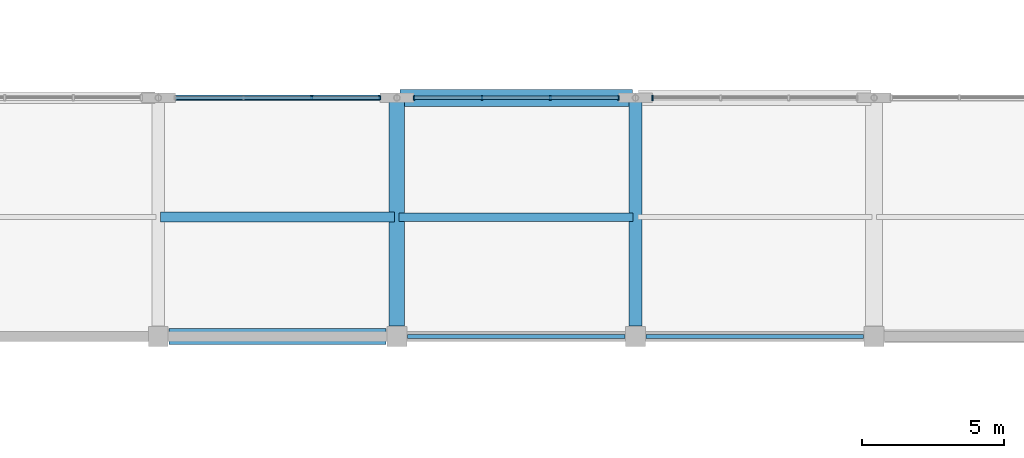
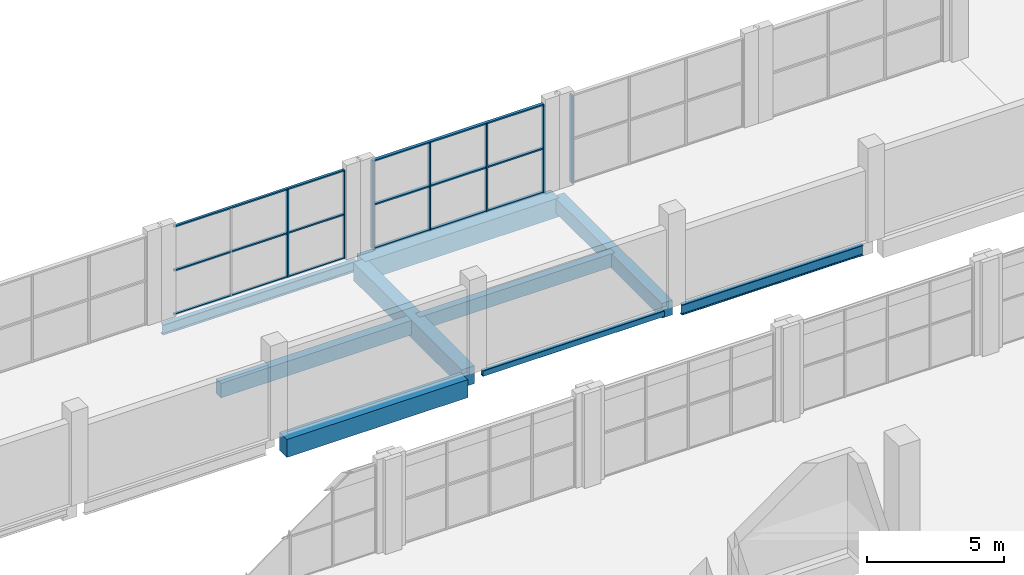
# One storey, part 24 of 59: 13 members, 9 beams, 3 elements without a shape of their own.
"""IFC4 building model written with IfcOpenShell, lengths in metres."""

from ifc_helpers import new_model, si_unit, derived_unit, direction, frame, origin, origin_2d, place, context, subcontext, project, spatial, rectangle, hollow_rectangle, i_section, extrude, material, material_profile, profile_set, type_object, element, aggregate, save


model = new_model("IFC4")

# Units and contexts
model_context = context("Model", 3, precision=1e-05, world=origin(), true_north=direction((0.0, 1.0)))
body_context = subcontext(model_context, "Body", "Model", "MODEL_VIEW")
ifc_project = project(units=[si_unit("LENGTHUNIT", "METRE"), si_unit("AREAUNIT", "SQUARE_METRE"), si_unit("VOLUMEUNIT", "CUBIC_METRE"), si_unit("PLANEANGLEUNIT", "RADIAN"), si_unit("MASSUNIT", "GRAM", prefix="KILO"), derived_unit("THERMALTRANSMITTANCEUNIT", [(si_unit("POWERUNIT", "WATT"), 1), (si_unit("LENGTHUNIT", "METRE"), -2), (si_unit("THERMODYNAMICTEMPERATUREUNIT", "KELVIN"), -1)])], contexts=[model_context])

# Site, building, storey
site_placement = place(None, origin())
site = spatial("IfcSite", under=ifc_project, at=site_placement, CompositionType="ELEMENT")
building_placement = place(site_placement, origin())
building = spatial("IfcBuilding", under=site, at=building_placement, Name="Barrovel Congress Hotel", CompositionType="ELEMENT")
storey_placement = place(building_placement, frame((0.0, 0.0, 9.89990234375)))
storey = spatial("IfcBuildingStorey", under=building, at=storey_placement, Name="L02", CompositionType="ELEMENT", Elevation=9.89990234375)

# Beams
ifc_material_1 = material(Name="Concrete C40", Category="concrete")
ifc_material_profile_1 = material_profile(ifc_material_1, rectangle(XDim=0.300048828125, YDim=0.60009765625, at=origin_2d()), Name="RC300x600")
ifc_profile_set_1 = profile_set([ifc_material_profile_1], Name="Concrete C40")
beam_type_1 = type_object("IfcBeamType", Name="BM-RC300x600", PredefinedType="JOIST", material=ifc_profile_set_1)
beam_1_placement = place(storey_placement, frame((100.8798828125, 42.0, -0.559814453125), z_axis=(1.0, 0.0, 0.0), x_axis=(0.0, 1.0, 0.0)))
element("IfcBeam", 1, at=beam_1_placement, inside=storey, type_object=beam_type_1, Name="JST:L02:100.8:42.0", PredefinedType="JOIST", context=body_context, shape_type="SweptSolid", body=[
    extrude(rectangle(XDim=0.300048828125, YDim=0.60009765625, at=origin_2d()), origin(), (0.0, 0.0, 1.0), 8.240234375),
])
ifc_material_profile_2 = material_profile(ifc_material_1, rectangle(XDim=0.35009765625, YDim=0.64990234375, at=origin_2d()), Name="RC350x650")
ifc_profile_set_2 = profile_set([ifc_material_profile_2], Name="Concrete C40")
beam_type_2 = type_object("IfcBeamType", Name="BM-RC350x650", PredefinedType="JOIST", material=ifc_profile_set_2)
beam_2_placement = place(storey_placement, frame((92.47998046875, 42.0, -0.5849609375), z_axis=(1.0, 0.0, 0.0), x_axis=(0.0, 1.0, 0.0)))
element("IfcBeam", 2, at=beam_2_placement, inside=storey, type_object=beam_type_2, Name="JST:L02:92.4:42.0", PredefinedType="JOIST", context=body_context, shape_type="SweptSolid", body=[
    extrude(rectangle(XDim=0.35009765625, YDim=0.64990234375, at=origin_2d()), origin(), (0.0, 0.0, 1.0), 8.239990234375),
])
ifc_material_profile_3 = material_profile(ifc_material_1, rectangle(XDim=0.449951171875, YDim=0.64990234375, at=origin_2d()), Name="RC450x650")
ifc_profile_set_3 = profile_set([ifc_material_profile_3], Name="Concrete C40")
beam_type_3 = type_object("IfcBeamType", Name="BM-RC450x650", PredefinedType="BEAM", material=ifc_profile_set_3)
beam_3_placement = place(storey_placement, frame((109.199951171875, 38.175048828125, -0.5849609375), z_axis=(0.0, 1.0, 0.0), x_axis=(-1.0, 0.0, 0.0)))
element("IfcBeam", 3, at=beam_3_placement, inside=storey, type_object=beam_type_3, Name="BMY:L02:109.2:37.8-46.2", PredefinedType="BEAM", context=body_context, shape_type="SweptSolid", body=[
    extrude(rectangle(XDim=0.449951171875, YDim=0.64990234375, at=origin_2d()), origin(), (0.0, 0.0, 1.0), 7.91552734375),
])
ifc_material_profile_4 = material_profile(ifc_material_1, rectangle(XDim=0.550048828125, YDim=0.800048828125, at=origin_2d()), Name="RC550x800")
ifc_profile_set_4 = profile_set([ifc_material_profile_4], Name="Concrete C40")
beam_type_4 = type_object("IfcBeamType", Name="BM-RC550x800", PredefinedType="BEAM", material=ifc_profile_set_4)
beam_4_placement = place(storey_placement, frame((92.77490234375, 37.800048828125, -0.659912109375), z_axis=(1.0, 0.0, 0.0), x_axis=(0.0, 1.0, 0.0)))
element("IfcBeam", 4, at=beam_4_placement, inside=storey, type_object=beam_type_4, Name="BMX:L02:37.8:92.4-100.8", PredefinedType="BEAM", context=body_context, shape_type="SweptSolid", body=[
    extrude(rectangle(XDim=0.550048828125, YDim=0.800048828125, at=origin_2d()), origin(), (0.0, 0.0, 1.0), 7.650146484375),
])
beam_5_placement = place(storey_placement, frame((100.800048828125, 38.175048828125, -0.659912109375), z_axis=(0.0, 1.0, 0.0), x_axis=(-1.0, 0.0, 0.0)))
element("IfcBeam", 5, at=beam_5_placement, inside=storey, type_object=beam_type_4, Name="BMY:L02:100.8:37.8-46.2", PredefinedType="BEAM", context=body_context, shape_type="SweptSolid", body=[
    extrude(rectangle(XDim=0.550048828125, YDim=0.800048828125, at=origin_2d()), origin(), (0.0, 0.0, 1.0), 7.91552734375),
])
ifc_material_profile_5 = material_profile(ifc_material_1, rectangle(XDim=0.60009765625, YDim=0.85009765625, at=origin_2d()), Name="RC600x850")
ifc_profile_set_5 = profile_set([ifc_material_profile_5], Name="Concrete C40")
beam_type_5 = type_object("IfcBeamType", Name="BM-RC600x850", PredefinedType="BEAM", material=ifc_profile_set_5)
beam_6_placement = place(storey_placement, frame((100.909423828125, 46.199951171875, -0.684814453125), z_axis=(1.0, 0.0, 0.0), x_axis=(0.0, 1.0, 0.0)))
element("IfcBeam", 6, at=beam_6_placement, inside=storey, type_object=beam_type_5, Name="BMX:L02:46.2:100.8-109.2", PredefinedType="BEAM", context=body_context, shape_type="SweptSolid", body=[
    extrude(rectangle(XDim=0.60009765625, YDim=0.85009765625, at=origin_2d()), origin(), (0.0, 0.0, 1.0), 8.18115234375),
])

# Curtain wall, members
ifc_material_2 = material(Name="Anodised Aluminium Alloy 6063-T6", Category="aluminium")
curtain_wall_type = type_object("IfcCurtainWallType", Name="CW-ST-7200x3600", PredefinedType="USERDEFINED", material=ifc_material_2)
curtain_wall_1_placement = place(storey_placement, origin())
curtain_wall_1 = element("IfcCurtainWall", 7, at=curtain_wall_1_placement, inside=storey, type_object=curtain_wall_type, Name="CW:L02:CL:11", ObjectType="STICK CURTAIN WALL", PredefinedType="USERDEFINED")
ifc_material_profile_6 = material_profile(ifc_material_2, rectangle(XDim=0.06005859375, YDim=0.139892578125, at=origin_2d()), Name="AL-M60x140")
ifc_profile_set_6 = profile_set([ifc_material_profile_6], Name="Anodised Aluminium Alloy 6063-T6")
member_type_1 = type_object("IfcMemberType", Name="CWM-AL-M60x140", PredefinedType="MULLION", material=ifc_profile_set_6)
member_1_placement = place(storey_placement, frame((100.199951171875, 46.199951171875, 0.0), z_axis=(0.0, 0.0, 1.0), x_axis=(1.0, 0.0, 0.0)))
member_1 = element("IfcMember", 8, at=member_1_placement, type_object=member_type_1, Name="CW:L02:CL:11:M0", PredefinedType="MULLION", context=body_context, shape_type="SweptSolid", body=[
    extrude(rectangle(XDim=0.06005859375, YDim=0.139892578125, at=origin_2d()), origin(), (0.0, 0.0, 1.0), 3.920166015625),
])
member_2_placement = place(storey_placement, frame((97.800048828125, 46.199951171875, 0.0), z_axis=(0.0, 0.0, 1.0), x_axis=(1.0, 0.0, 0.0)))
member_2 = element("IfcMember", 9, at=member_2_placement, type_object=member_type_1, Name="CW:L02:CL:11:M1", PredefinedType="MULLION", context=body_context, shape_type="SweptSolid", body=[
    extrude(rectangle(XDim=0.06005859375, YDim=0.139892578125, at=origin_2d()), origin(), (0.0, 0.0, 1.0), 3.920166015625),
])

curtain_wall_2_placement = place(storey_placement, origin())
curtain_wall_2 = element("IfcCurtainWall", 10, at=curtain_wall_2_placement, inside=storey, type_object=curtain_wall_type, Name="CW:L02:CL:12", ObjectType="STICK CURTAIN WALL", PredefinedType="USERDEFINED")
ifc_material_profile_7 = material_profile(ifc_material_2, rectangle(XDim=0.06005859375, YDim=0.1650390625, at=origin_2d()), Name="AL-M60x165")
ifc_profile_set_7 = profile_set([ifc_material_profile_7], Name="Anodised Aluminium Alloy 6063-T6")
member_type_2 = type_object("IfcMemberType", Name="CWM-AL-M60x165", PredefinedType="MULLION", material=ifc_profile_set_7)
member_3_placement = place(storey_placement, frame((108.60009765625, 46.199951171875, 0.0), z_axis=(0.0, 0.0, 1.0), x_axis=(1.0, 0.0, 0.0)))
member_3 = element("IfcMember", 11, at=member_3_placement, type_object=member_type_2, Name="CW:L02:CL:12:M0", PredefinedType="MULLION", context=body_context, shape_type="SweptSolid", body=[
    extrude(rectangle(XDim=0.06005859375, YDim=0.1650390625, at=origin_2d()), origin(), (0.0, 0.0, 1.0), 3.920166015625),
])
member_4_placement = place(storey_placement, frame((106.199951171875, 46.199951171875, 0.0), z_axis=(0.0, 0.0, 1.0), x_axis=(1.0, 0.0, 0.0)))
member_4 = element("IfcMember", 12, at=member_4_placement, type_object=member_type_2, Name="CW:L02:CL:12:M1", PredefinedType="MULLION", context=body_context, shape_type="SweptSolid", body=[
    extrude(rectangle(XDim=0.06005859375, YDim=0.1650390625, at=origin_2d()), origin(), (0.0, 0.0, 1.0), 3.920166015625),
])
member_5_placement = place(storey_placement, frame((103.800048828125, 46.199951171875, 0.0), z_axis=(0.0, 0.0, 1.0), x_axis=(1.0, 0.0, 0.0)))
member_5 = element("IfcMember", 13, at=member_5_placement, type_object=member_type_2, Name="CW:L02:CL:12:M2", PredefinedType="MULLION", context=body_context, shape_type="SweptSolid", body=[
    extrude(rectangle(XDim=0.06005859375, YDim=0.1650390625, at=origin_2d()), origin(), (0.0, 0.0, 1.0), 3.920166015625),
])
member_6_placement = place(storey_placement, frame((101.39990234375, 46.199951171875, 0.0), z_axis=(0.0, 0.0, 1.0), x_axis=(1.0, 0.0, 0.0)))
member_6 = element("IfcMember", 14, at=member_6_placement, type_object=member_type_2, Name="CW:L02:CL:12:M3", PredefinedType="MULLION", context=body_context, shape_type="SweptSolid", body=[
    extrude(rectangle(XDim=0.06005859375, YDim=0.1650390625, at=origin_2d()), origin(), (0.0, 0.0, 1.0), 3.920166015625),
])

# Curtain wall, member
curtain_wall_3_placement = place(storey_placement, origin())
curtain_wall_3 = element("IfcCurtainWall", 15, at=curtain_wall_3_placement, inside=storey, type_object=curtain_wall_type, Name="CW:L02:CL:13", ObjectType="STICK CURTAIN WALL", PredefinedType="USERDEFINED")
ifc_material_profile_8 = material_profile(ifc_material_2, rectangle(XDim=0.06494140625, YDim=0.18994140625, at=origin_2d()), Name="AL-M65x190")
ifc_profile_set_8 = profile_set([ifc_material_profile_8], Name="Anodised Aluminium Alloy 6063-T6")
member_type_3 = type_object("IfcMemberType", Name="CWM-AL-M65x190", PredefinedType="MULLION", material=ifc_profile_set_8)
member_7_placement = place(storey_placement, frame((109.800048828125, 46.199951171875, 0.0), z_axis=(0.0, 0.0, 1.0), x_axis=(1.0, 0.0, 0.0)))
member_7 = element("IfcMember", 16, at=member_7_placement, type_object=member_type_3, Name="CW:L02:CL:13:M3", PredefinedType="MULLION", context=body_context, shape_type="SweptSolid", body=[
    extrude(rectangle(XDim=0.06494140625, YDim=0.18994140625, at=origin_2d()), origin(), (0.0, 0.0, 1.0), 3.920166015625),
])
aggregate(curtain_wall_3, [member_7])

# Member
ifc_material_profile_9 = material_profile(ifc_material_2, rectangle(XDim=0.10498046875, YDim=0.06005859375, at=origin_2d()), Name="AL-T60x105")
ifc_profile_set_9 = profile_set([ifc_material_profile_9], Name="Anodised Aluminium Alloy 6063-T6")
member_type_4 = type_object("IfcMemberType", Name="CWT-AL-T60x105", PredefinedType="USERDEFINED", material=ifc_profile_set_9)
member_8_placement = place(storey_placement, frame((100.199951171875, 46.199951171875, 0.0), z_axis=(-1.0, 0.0, 0.0), x_axis=(0.0, -1.0, 0.0)))
member_8 = element("IfcMember", 17, at=member_8_placement, type_object=member_type_4, Name="CW:L02:CL:11:T0", ObjectType="TRANSOM", PredefinedType="USERDEFINED", context=body_context, shape_type="SweptSolid", body=[
    extrude(rectangle(XDim=0.10498046875, YDim=0.06005859375, at=origin_2d()), origin(), (0.0, 0.0, 1.0), 7.199951171875),
])

member_9_placement = place(storey_placement, frame((100.199951171875, 46.199951171875, 1.960205078125), z_axis=(-1.0, 0.0, 0.0), x_axis=(0.0, -1.0, 0.0)))
member_9 = element("IfcMember", 18, at=member_9_placement, type_object=member_type_4, Name="CW:L02:CL:11:T1", ObjectType="TRANSOM", PredefinedType="USERDEFINED", context=body_context, shape_type="SweptSolid", body=[
    extrude(rectangle(XDim=0.10498046875, YDim=0.06005859375, at=origin_2d()), origin(), (0.0, 0.0, 1.0), 7.199951171875),
])

member_10_placement = place(storey_placement, frame((100.199951171875, 46.199951171875, 3.920166015625), z_axis=(-1.0, 0.0, 0.0), x_axis=(0.0, -1.0, 0.0)))
member_10 = element("IfcMember", 19, at=member_10_placement, type_object=member_type_4, Name="CW:L02:CL:11:T2", ObjectType="TRANSOM", PredefinedType="USERDEFINED", context=body_context, shape_type="SweptSolid", body=[
    extrude(rectangle(XDim=0.10498046875, YDim=0.06005859375, at=origin_2d()), origin(), (0.0, 0.0, 1.0), 7.199951171875),
])

aggregate(curtain_wall_1, [member_1, member_2, member_8, member_9, member_10])

ifc_material_profile_10 = material_profile(ifc_material_2, rectangle(XDim=0.125, YDim=0.06005859375, at=origin_2d()), Name="AL-T60x125")
ifc_profile_set_10 = profile_set([ifc_material_profile_10], Name="Anodised Aluminium Alloy 6063-T6")
member_type_5 = type_object("IfcMemberType", Name="CWT-AL-T60x125", PredefinedType="USERDEFINED", material=ifc_profile_set_10)
member_11_placement = place(storey_placement, frame((108.60009765625, 46.199951171875, 0.0), z_axis=(-1.0, 0.0, 0.0), x_axis=(0.0, -1.0, 0.0)))
member_11 = element("IfcMember", 20, at=member_11_placement, type_object=member_type_5, Name="CW:L02:CL:12:T0", ObjectType="TRANSOM", PredefinedType="USERDEFINED", context=body_context, shape_type="SweptSolid", body=[
    extrude(rectangle(XDim=0.125, YDim=0.06005859375, at=origin_2d()), origin(), (0.0, 0.0, 1.0), 7.2001953125),
])

member_12_placement = place(storey_placement, frame((108.60009765625, 46.199951171875, 1.960205078125), z_axis=(-1.0, 0.0, 0.0), x_axis=(0.0, -1.0, 0.0)))
member_12 = element("IfcMember", 21, at=member_12_placement, type_object=member_type_5, Name="CW:L02:CL:12:T1", ObjectType="TRANSOM", PredefinedType="USERDEFINED", context=body_context, shape_type="SweptSolid", body=[
    extrude(rectangle(XDim=0.125, YDim=0.06005859375, at=origin_2d()), origin(), (0.0, 0.0, 1.0), 7.2001953125),
])

member_13_placement = place(storey_placement, frame((108.60009765625, 46.199951171875, 3.920166015625), z_axis=(-1.0, 0.0, 0.0), x_axis=(0.0, -1.0, 0.0)))
member_13 = element("IfcMember", 22, at=member_13_placement, type_object=member_type_5, Name="CW:L02:CL:12:T2", ObjectType="TRANSOM", PredefinedType="USERDEFINED", context=body_context, shape_type="SweptSolid", body=[
    extrude(rectangle(XDim=0.125, YDim=0.06005859375, at=origin_2d()), origin(), (0.0, 0.0, 1.0), 7.2001953125),
])

aggregate(curtain_wall_2, [member_3, member_4, member_5, member_6, member_11, member_12, member_13])

# Beams
ifc_material_3 = material(Name="Steel ASTM A500 Grade C", Category="steel")
ifc_material_profile_11 = material_profile(ifc_material_3, hollow_rectangle(XDim=0.15234375, YDim=0.25390625, WallThickness=0.0087890625, InnerFilletRadius=0.0087890625, OuterFilletRadius=0.017578125, at=origin_2d()), Name="HSS254x152x9.5")
ifc_profile_set_11 = profile_set([ifc_material_profile_11], Name="Steel ASTM A500 Grade C")
beam_type_6 = type_object("IfcBeamType", Name="SBM-HSS254x152x9.5", PredefinedType="SPANDREL", material=ifc_profile_set_11)
beam_7_placement = place(storey_placement, frame((101.175048828125, 37.800048828125, -0.386962890625), z_axis=(1.0, 0.0, 0.0), x_axis=(0.0, 1.0, 0.0)))
element("IfcBeam", 23, at=beam_7_placement, inside=storey, type_object=beam_type_6, Name="BMX:L02:37.8:100.8-109.2", PredefinedType="SPANDREL", context=body_context, shape_type="SweptSolid", body=[
    extrude(hollow_rectangle(XDim=0.15234375, YDim=0.25390625, WallThickness=0.0087890625, InnerFilletRadius=0.0087890625, OuterFilletRadius=0.017578125, at=origin_2d()), origin(), (0.0, 0.0, 1.0), 7.64990234375),
])
ifc_material_4 = material(Name="Steel ASTM A992 Grade 50", Category="steel")
ifc_material_profile_12 = material_profile(ifc_material_4, i_section(OverallWidth=0.154052734375, OverallDepth=0.458984375, WebThickness=0.009033203125, FlangeThickness=0.015380859375, FilletRadius=0.012939453125, at=origin_2d()), Name="W460x68")
ifc_profile_set_12 = profile_set([ifc_material_profile_12], Name="Steel ASTM A992 Grade 50")
beam_type_7 = type_object("IfcBeamType", Name="SBM-W460x68", PredefinedType="BEAM", material=ifc_profile_set_12)
beam_8_placement = place(storey_placement, frame((109.574951171875, 37.800048828125, -0.489501953125), z_axis=(1.0, 0.0, 0.0), x_axis=(0.0, 1.0, 0.0)))
element("IfcBeam", 24, at=beam_8_placement, inside=storey, type_object=beam_type_7, Name="BMX:L02:37.8:109.2-117.6", PredefinedType="BEAM", context=body_context, shape_type="SweptSolid", body=[
    extrude(i_section(OverallWidth=0.154052734375, OverallDepth=0.458984375, WebThickness=0.009033203125, FlangeThickness=0.015380859375, FilletRadius=0.012939453125, at=origin_2d()), origin(), (0.0, 0.0, 1.0), 7.650146484375),
])
ifc_material_profile_13 = material_profile(ifc_material_4, i_section(OverallWidth=0.19091796875, OverallDepth=0.4599609375, WebThickness=0.010009765625, FlangeThickness=0.01611328125, FilletRadius=0.012939453125, at=origin_2d()), Name="W460x82")
ifc_profile_set_13 = profile_set([ifc_material_profile_13], Name="Steel ASTM A992 Grade 50")
beam_type_8 = type_object("IfcBeamType", Name="SBM-W460x82", PredefinedType="BEAM", material=ifc_profile_set_13)
beam_9_placement = place(storey_placement, frame((92.509521484375, 46.199951171875, -0.489990234375), z_axis=(1.0, 0.0, 0.0), x_axis=(0.0, 1.0, 0.0)))
element("IfcBeam", 25, at=beam_9_placement, inside=storey, type_object=beam_type_8, Name="BMX:L02:46.2:92.4-100.8", PredefinedType="BEAM", context=body_context, shape_type="SweptSolid", body=[
    extrude(i_section(OverallWidth=0.19091796875, OverallDepth=0.4599609375, WebThickness=0.010009765625, FlangeThickness=0.01611328125, FilletRadius=0.012939453125, at=origin_2d()), origin(), (0.0, 0.0, 1.0), 8.180908203125),
])

save(model, "model.ifc")
